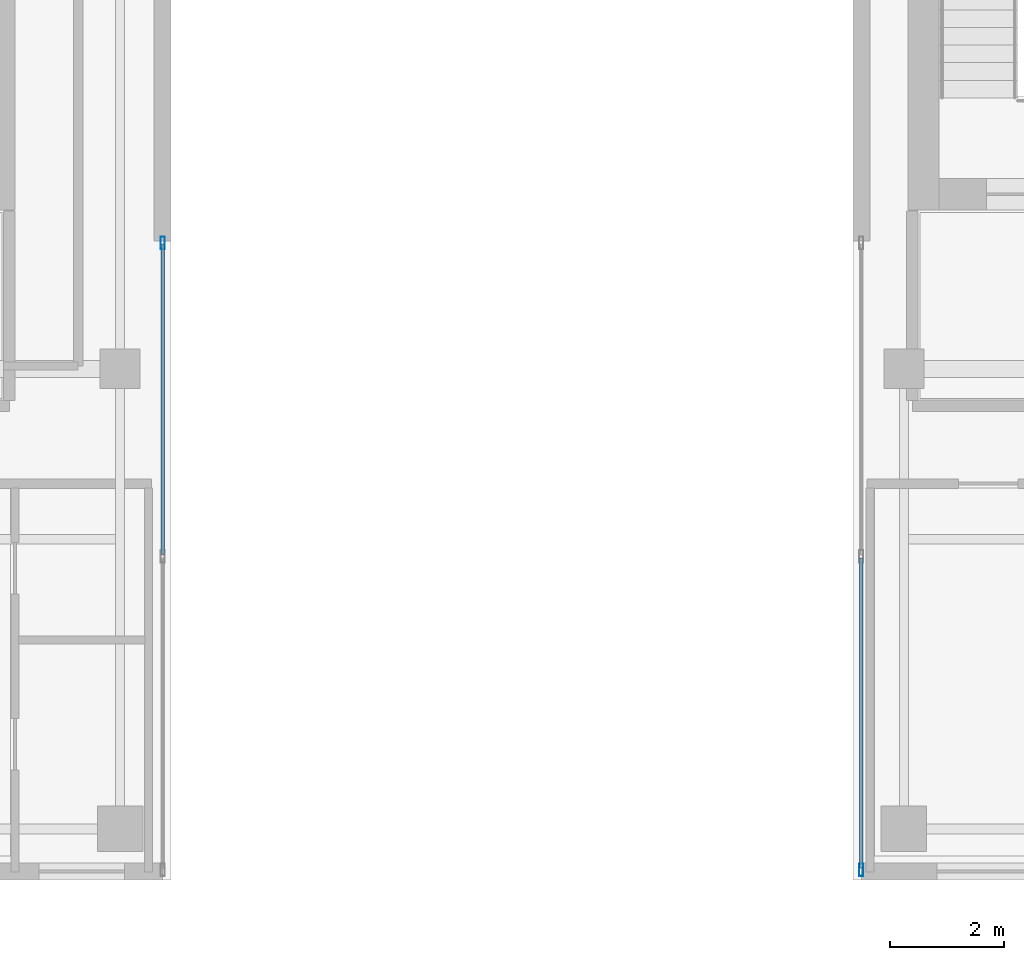
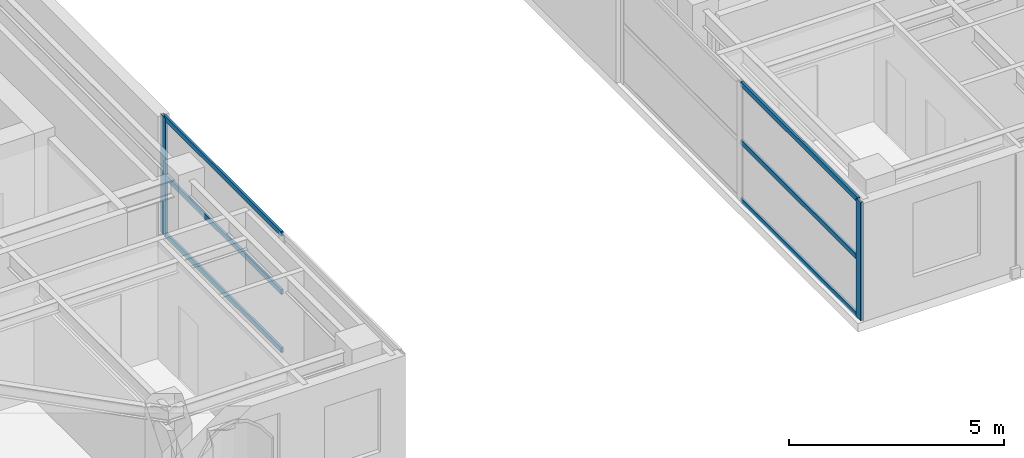
# One storey, part 4 of 24: 8 members, 2 elements without a shape of their own.
"""IFC4 building model written with IfcOpenShell, lengths in metres."""

from ifc_helpers import new_model, si_unit, direction, frame, origin, origin_2d, place, context, subcontext, project, spatial, hollow_rectangle, extrude, source, transform, mapped, material, layer, layer_set, material_profile, profile_set, type_object, element, aggregate, save


model = new_model("IFC4")

# Units and contexts
model_context = context("Model", 3, precision=1e-05, world=origin(), true_north=direction((0.0, 1.0)))
body_context = subcontext(model_context, "Body", "Model", "MODEL_VIEW")
ifc_project = project(units=[si_unit("LENGTHUNIT", "METRE"), si_unit("AREAUNIT", "SQUARE_METRE"), si_unit("VOLUMEUNIT", "CUBIC_METRE"), si_unit("PLANEANGLEUNIT", "RADIAN"), si_unit("MASSUNIT", "GRAM", prefix="KILO")], contexts=[model_context])

# Site, building, storey
site_placement = place(None, origin())
site = spatial("IfcSite", under=ifc_project, at=site_placement, CompositionType="ELEMENT")
building_placement = place(site_placement, origin())
building = spatial("IfcBuilding", under=site, at=building_placement, Name="Khoralis Quay Care Tower", CompositionType="ELEMENT")
storey_placement = place(building_placement, frame((0.0, 0.0, 234.89990234375)))
storey = spatial("IfcBuildingStorey", under=building, at=storey_placement, Name="L61", CompositionType="ELEMENT", Elevation=234.89990234375)

# Curtain wall, member
ifc_material = material(Name="Pale anodised aluminium", Category="aluminium")
ifc_layer = layer(ifc_material, 0.18994140625)
ifc_layer_set = layer_set([ifc_layer], Name="Pale anodised aluminium")
curtain_wall_type = type_object("IfcCurtainWallType", Name="CW-SYS-PORTAL", PredefinedType="NOTDEFINED", material=ifc_layer_set)
curtain_wall_1_placement = place(storey_placement, origin())
curtain_wall_1 = element("IfcCurtainWall", 1, at=curtain_wall_1_placement, inside=storey, type_object=curtain_wall_type, Name="L61 Unitised Curtain Wall CW-VP-L61-P1-S", PredefinedType="NOTDEFINED")
ifc_material_profile_1 = material_profile(ifc_material, hollow_rectangle(XDim=0.074951171875, YDim=0.219970703125, WallThickness=0.00390625, at=origin_2d()), Name="Pale anodised aluminium")
ifc_profile_set_1 = profile_set([ifc_material_profile_1], Name="Pale anodised aluminium")
member_type_1 = type_object("IfcMemberType", Name="CW-MUL-220", PredefinedType="MULLION", material=ifc_profile_set_1)
shared_shape_1 = source(origin(), body_context, "Body", "SweptSolid", [
    extrude(hollow_rectangle(XDim=0.074951171875, YDim=0.219970703125, WallThickness=0.00390625, at=origin_2d()), origin(), (0.0, 0.0, 1.0), 3.360107421875),
])
member_1_placement = place(storey_placement, frame((17.85009765625, 14.219970703125, 0.0), z_axis=(0.0, 0.0, 1.0), x_axis=(-1.0, 0.0, 0.0)))
member_1 = element("IfcMember", 2, at=member_1_placement, type_object=member_type_1, Name="CW4 mullion 3", PredefinedType="MULLION", context=body_context, shape_type="MappedRepresentation", body=[
    mapped(shared_shape_1, transform((0.0, 0.0, 0.0), scale=1.0)),
])

curtain_wall_2_placement = place(storey_placement, origin())
curtain_wall_2 = element("IfcCurtainWall", 3, at=curtain_wall_2_placement, inside=storey, type_object=curtain_wall_type, Name="L61 Unitised Curtain Wall CW-VP-L61-P2-S", PredefinedType="NOTDEFINED")
member_2_placement = place(storey_placement, frame((30.14990234375, 3.179931640625, 0.0), z_axis=(0.0, 0.0, 1.0), x_axis=(-1.0, 0.0, 0.0)))
member_2 = element("IfcMember", 4, at=member_2_placement, type_object=member_type_1, Name="CW4 mullion 1", PredefinedType="MULLION", context=body_context, shape_type="MappedRepresentation", body=[
    mapped(shared_shape_1, transform((0.0, 0.0, 0.0), scale=1.0)),
])

# Member
ifc_material_profile_2 = material_profile(ifc_material, hollow_rectangle(XDim=0.06005859375, YDim=0.139892578125, WallThickness=0.00390625, at=origin_2d()), Name="Pale anodised aluminium")
ifc_profile_set_2 = profile_set([ifc_material_profile_2], Name="Pale anodised aluminium")
member_type_2 = type_object("IfcMemberType", Name="CW-TRN-140", PredefinedType="USERDEFINED", material=ifc_profile_set_2)
shared_shape_2 = source(origin(), body_context, "Body", "SweptSolid", [
    extrude(hollow_rectangle(XDim=0.06005859375, YDim=0.139892578125, WallThickness=0.00390625, at=origin_2d()), origin(), (0.0, 0.0, 1.0), 5.4599609375),
])
member_3_placement = place(storey_placement, frame((17.85009765625, 8.72998046875, 0.030029296875), z_axis=(0.0, 1.0, 0.0), x_axis=(-1.0, 0.0, 0.0)))
member_3 = element("IfcMember", 5, at=member_3_placement, type_object=member_type_2, Name="CW4 transom 2.1", ObjectType="TRANSOM", PredefinedType="USERDEFINED", context=body_context, shape_type="MappedRepresentation", body=[
    mapped(shared_shape_2, transform((0.0, 0.0, 0.0), scale=1.0)),
])

member_4_placement = place(storey_placement, frame((17.85009765625, 8.72998046875, 1.68017578125), z_axis=(0.0, 1.0, 0.0), x_axis=(-1.0, 0.0, 0.0)))
member_4 = element("IfcMember", 6, at=member_4_placement, type_object=member_type_2, Name="CW4 transom 2.2", ObjectType="TRANSOM", PredefinedType="USERDEFINED", context=body_context, shape_type="MappedRepresentation", body=[
    mapped(shared_shape_2, transform((0.0, 0.0, 0.0), scale=1.0)),
])

member_5_placement = place(storey_placement, frame((17.85009765625, 8.72998046875, 3.330078125), z_axis=(0.0, 1.0, 0.0), x_axis=(-1.0, 0.0, 0.0)))
member_5 = element("IfcMember", 7, at=member_5_placement, type_object=member_type_2, Name="CW4 transom 2.3", ObjectType="TRANSOM", PredefinedType="USERDEFINED", context=body_context, shape_type="MappedRepresentation", body=[
    mapped(shared_shape_2, transform((0.0, 0.0, 0.0), scale=1.0)),
])

aggregate(curtain_wall_1, [member_1, member_3, member_4, member_5])

member_6_placement = place(storey_placement, frame((30.14990234375, 3.2099609375, 0.030029296875), z_axis=(0.0, 1.0, 0.0), x_axis=(-1.0, 0.0, 0.0)))
member_6 = element("IfcMember", 8, at=member_6_placement, type_object=member_type_2, Name="CW4 transom 1.1", ObjectType="TRANSOM", PredefinedType="USERDEFINED", context=body_context, shape_type="MappedRepresentation", body=[
    mapped(shared_shape_2, transform((0.0, 0.0, 0.0), scale=1.0)),
])

member_7_placement = place(storey_placement, frame((30.14990234375, 3.2099609375, 1.68017578125), z_axis=(0.0, 1.0, 0.0), x_axis=(-1.0, 0.0, 0.0)))
member_7 = element("IfcMember", 9, at=member_7_placement, type_object=member_type_2, Name="CW4 transom 1.2", ObjectType="TRANSOM", PredefinedType="USERDEFINED", context=body_context, shape_type="MappedRepresentation", body=[
    mapped(shared_shape_2, transform((0.0, 0.0, 0.0), scale=1.0)),
])

member_8_placement = place(storey_placement, frame((30.14990234375, 3.2099609375, 3.330078125), z_axis=(0.0, 1.0, 0.0), x_axis=(-1.0, 0.0, 0.0)))
member_8 = element("IfcMember", 10, at=member_8_placement, type_object=member_type_2, Name="CW4 transom 1.3", ObjectType="TRANSOM", PredefinedType="USERDEFINED", context=body_context, shape_type="MappedRepresentation", body=[
    mapped(shared_shape_2, transform((0.0, 0.0, 0.0), scale=1.0)),
])

aggregate(curtain_wall_2, [member_2, member_6, member_7, member_8])

save(model, "model.ifc")
